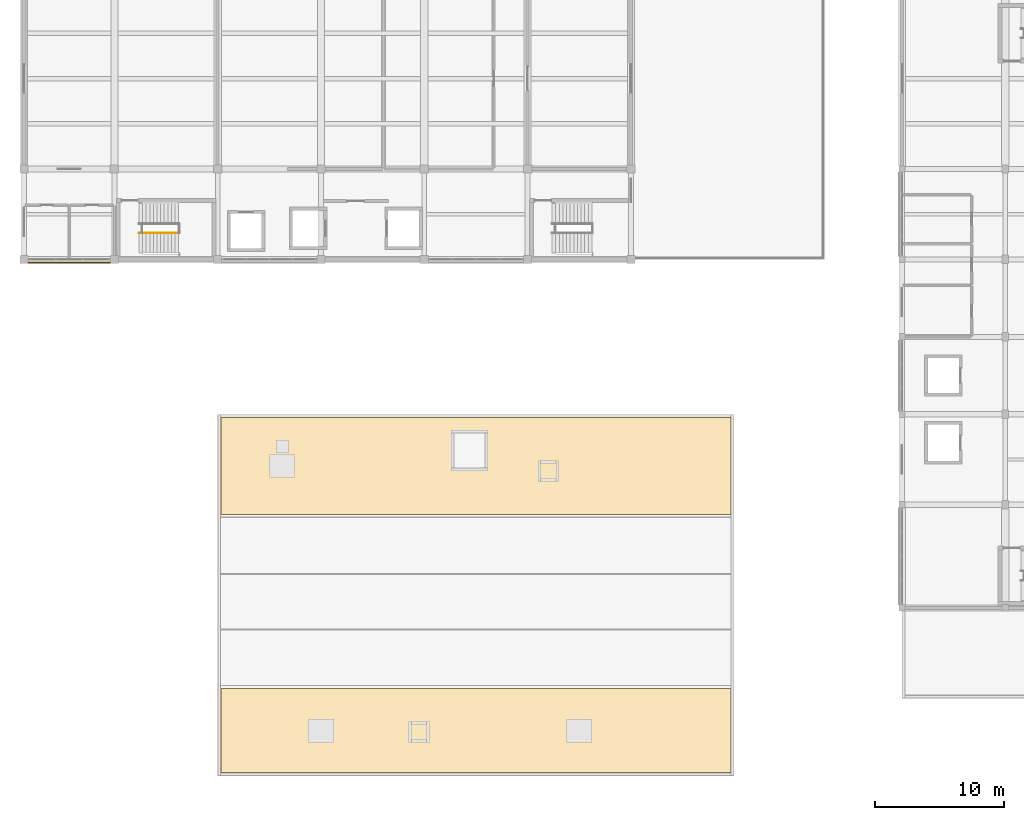
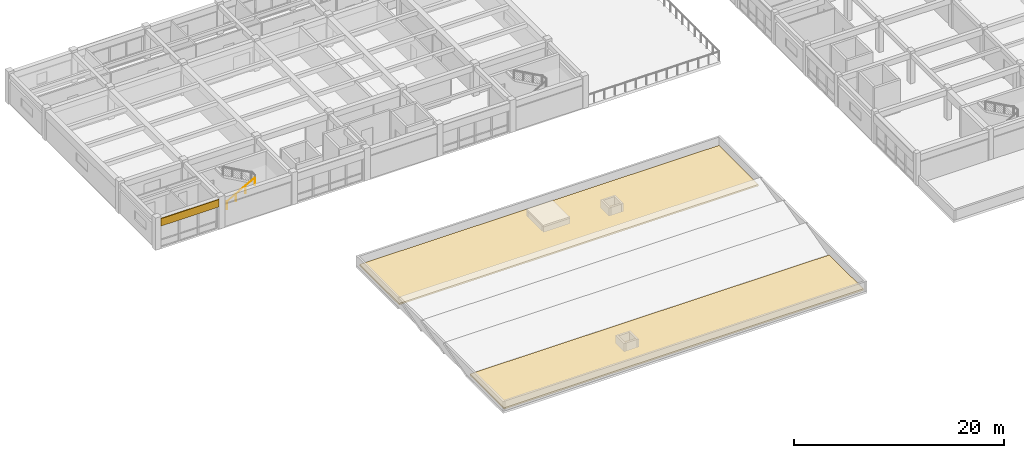
# One storey, part 18 of 22: 3 coverings, 1 railing.
"""IFC4 building model written with IfcOpenShell, lengths in metres."""

from ifc_helpers import new_model, si_unit, direction, frame, origin, origin_2d, place, context, subcontext, project, spatial, polyline, rectangle, circle, outline, extrude, material, layer, layer_set, type_object, element, save


model = new_model("IFC4")

# Units and contexts
model_context = context("Model", 3, precision=1e-05, world=origin(), true_north=direction((0.0, 1.0)))
body_context = subcontext(model_context, "Body", "Model", "MODEL_VIEW")
ifc_project = project(units=[si_unit("LENGTHUNIT", "METRE"), si_unit("AREAUNIT", "SQUARE_METRE"), si_unit("VOLUMEUNIT", "CUBIC_METRE"), si_unit("PLANEANGLEUNIT", "RADIAN"), si_unit("MASSUNIT", "GRAM", prefix="KILO")], contexts=[model_context])

# Site, building, storey
site_placement = place(None, origin())
site = spatial("IfcSite", under=ifc_project, at=site_placement, CompositionType="ELEMENT")
building_placement = place(site_placement, origin())
building = spatial("IfcBuilding", under=site, at=building_placement, Name="Naurynzar Civic Courthouse", CompositionType="ELEMENT")
storey_placement = place(building_placement, frame((0.0, 0.0, 25.800048828125)))
storey = spatial("IfcBuildingStorey", under=building, at=storey_placement, Name="L07", CompositionType="ELEMENT", Elevation=25.800048828125)

# Coverings
ifc_material_1 = material(Name="Precast concrete C40/50", Category="concrete")
ifc_layer_1 = layer(ifc_material_1, 0.080078125)
ifc_layer_set_1 = layer_set([ifc_layer_1], Name="COV-CLAD-PRECAST-80")
covering_type_1 = type_object("IfcCoveringType", Name="COV-CLAD-PRECAST-80", PredefinedType="CLADDING", material=ifc_layer_set_1)
covering_1_placement = place(storey_placement, frame((65.5, 43.7451171875, 2.599853515625), z_axis=(0.0, 0.0, 1.0), x_axis=(-1.0, 0.0, 0.0)))
element("IfcCovering", 1, at=covering_1_placement, inside=storey, type_object=covering_type_1, Name="V2 precast spandrel cladding 53", PredefinedType="CLADDING", context=body_context, shape_type="SweptSolid", body=[
    extrude(rectangle(XDim=6.375, YDim=0.080078125, at=origin_2d()), origin(), (0.0, 0.0, 1.0), 0.8701171875),
])
ifc_material_2 = material(Name="Waterproofing Membrane and Rigid Insulation")
ifc_layer_2 = layer(ifc_material_2, 0.179931640625)
ifc_layer_set_2 = layer_set([ifc_layer_2], Name="COV-ROOF-MEMB-180")
covering_type_2 = type_object("IfcCoveringType", Name="COV-ROOF-MEMB-180", PredefinedType="ROOFING", material=ifc_layer_set_2)
covering_2_placement = place(storey_placement, origin())
element("IfcCovering", 2, at=covering_2_placement, inside=storey, type_object=covering_type_2, Name="Insulated roof waterproofing membrane RM-V3-S", PredefinedType="ROOFING", context=body_context, shape_type="SweptSolid", body=[
    extrude(outline(polyline([(77.25, 4.25), (116.75, 4.25), (116.75, 10.75), (77.25, 10.75), (77.25, 4.25)])), origin(), (0.0, 0.0, 1.0), 0.179931640625),
])
covering_3_placement = place(storey_placement, origin())
element("IfcCovering", 3, at=covering_3_placement, inside=storey, type_object=covering_type_2, Name="Insulated roof waterproofing membrane RM-V3-N", PredefinedType="ROOFING", context=body_context, shape_type="SweptSolid", body=[
    extrude(outline(polyline([(77.25, 24.25), (116.75, 24.25), (116.75, 31.75), (77.25, 31.75), (77.25, 24.25)])), origin(), (0.0, 0.0, 1.0), 0.179931640625),
])

# Railing
ifc_material_3 = material(Name="Brushed Stainless Steel 304", Category="steel")
railing_type = type_object("IfcRailingType", Name="RAIL-HR-900", PredefinedType="HANDRAIL", material=ifc_material_3)
railing_placement = place(storey_placement, frame((70.89990234375, 46.0400390625, 0.15625)))
element("IfcRailing", 4, at=railing_placement, inside=storey, type_object=railing_type, Name="Stair ST-V2A-L07 flight 1 handrail", PredefinedType="HANDRAIL", context=body_context, shape_type="SweptSolid", body=[
    extrude(circle(Radius=0.02392578125, at=origin_2d()), frame((0.0, 0.0, 0.8759765625), z_axis=(0.873241540666, 0.0, 0.487287606713), x_axis=(0.0, 1.0, 0.0)), (0.0, 0.0, 1.0), 3.527099609375),
    extrude(circle(Radius=0.02099609375, at=origin_2d()), origin(), (0.0, 0.0, 1.0), 0.851806640625),
    extrude(circle(Radius=0.02099609375, at=origin_2d()), frame((1.026611328125, 0.0, 0.572998046875)), (0.0, 0.0, 1.0), 0.851806640625),
    extrude(circle(Radius=0.02099609375, at=origin_2d()), frame((2.053466796875, 0.0, 1.145751953125)), (0.0, 0.0, 1.0), 0.851806640625),
    extrude(circle(Radius=0.02099609375, at=origin_2d()), frame((3.080078125, 0.0, 1.71875)), (0.0, 0.0, 1.0), 0.851806640625),
])

save(model, "model.ifc")
